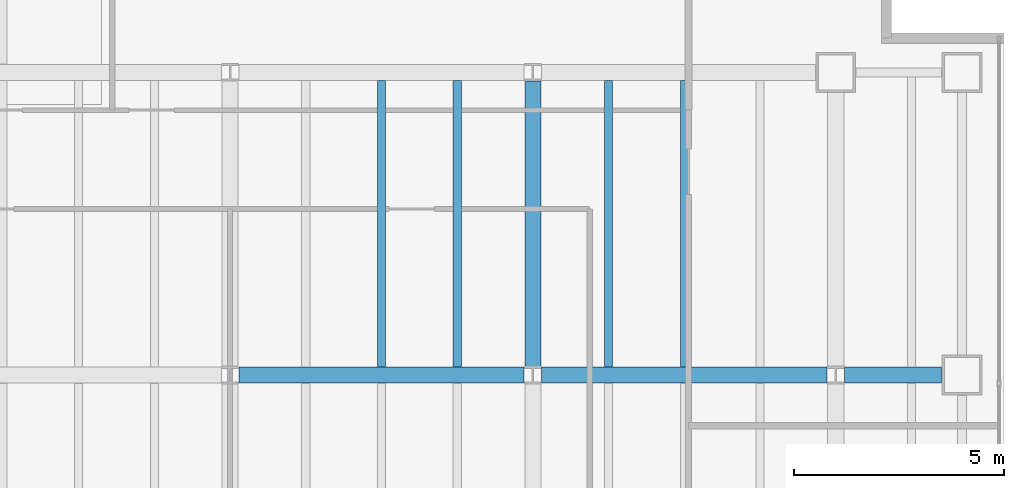
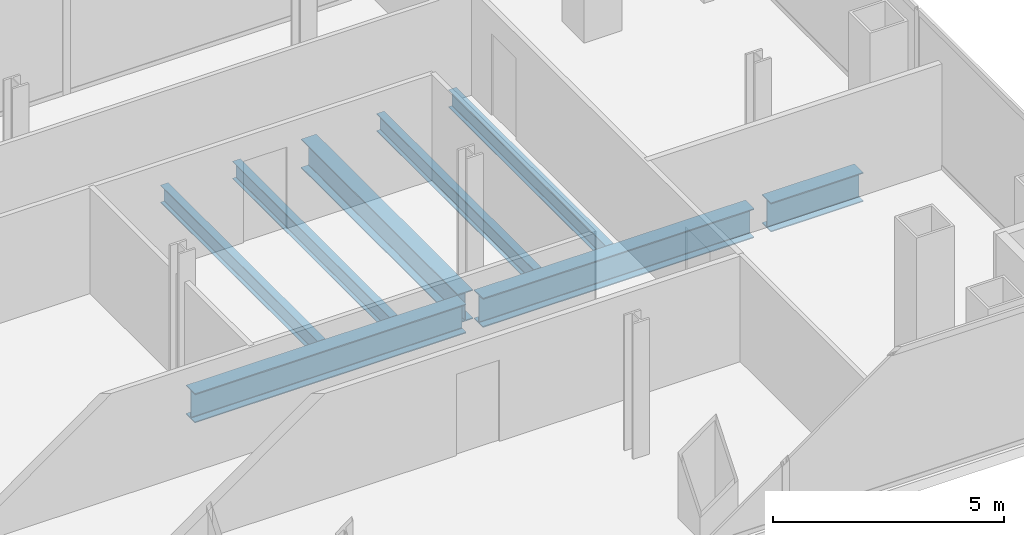
# One storey, part 12 of 23: 8 beams.
"""IFC4 building model written with IfcOpenShell, lengths in metres."""

from ifc_helpers import new_model, si_unit, direction, frame, origin, origin_2d, place, context, subcontext, project, spatial, i_section, extrude, material, material_profile, profile_set, type_object, element, save


model = new_model("IFC4")

# Units and contexts
model_context = context("Model", 3, precision=1e-05, world=origin(), true_north=direction((0.0, 1.0)))
body_context = subcontext(model_context, "Body", "Model", "MODEL_VIEW")
ifc_project = project(units=[si_unit("LENGTHUNIT", "METRE"), si_unit("AREAUNIT", "SQUARE_METRE"), si_unit("VOLUMEUNIT", "CUBIC_METRE"), si_unit("PLANEANGLEUNIT", "RADIAN"), si_unit("MASSUNIT", "GRAM", prefix="KILO")], contexts=[model_context])

# Site, building, storey
site_placement = place(None, origin())
site = spatial("IfcSite", under=ifc_project, at=site_placement, CompositionType="ELEMENT")
building_placement = place(site_placement, origin())
building = spatial("IfcBuilding", under=site, at=building_placement, Name="Cobrela Telecom Tower", CompositionType="ELEMENT")
storey_placement = place(building_placement, frame((0.0, 0.0, 102.199951171875)))
storey = spatial("IfcBuildingStorey", under=building, at=storey_placement, Name="L25", CompositionType="ELEMENT", Elevation=102.199951171875)

# Beams
ifc_material = material(Name="Steel ASTM A992 Grade 50", Category="steel")
ifc_material_profile_1 = material_profile(ifc_material, i_section(OverallWidth=0.381103515625, OverallDepth=0.77197265625, WebThickness=0.0166015625, FlangeThickness=0.027099609375, FilletRadius=0.01904296875, at=origin_2d()), Name="W30X173")
ifc_profile_set_1 = profile_set([ifc_material_profile_1], Name="Steel ASTM A992 Grade 50")
beam_type_1 = type_object("IfcBeamType", Name="BM-GIRD-04", PredefinedType="USERDEFINED", material=ifc_profile_set_1)
for number, where, z_axis, x_axis, name in (
    (1, (29.009521484375, 14.39990234375, -0.656005859375), (1.0, 0.0, 0.0), (0.0, 1.0, 0.0), "L25 Primary Girder X15"),
    (2, (36.20947265625, 14.39990234375, -0.656005859375), (1.0, 0.0, 0.0), (0.0, 1.0, 0.0), "L25 Primary Girder X16"),
):
    element("IfcBeam", number, at=place(storey_placement, frame(where, z_axis=z_axis, x_axis=x_axis)), inside=storey, type_object=beam_type_1, Name=name, ObjectType="GIRDER", PredefinedType="USERDEFINED", context=body_context, shape_type="SweptSolid", body=[
        extrude(i_section(OverallWidth=0.381103515625, OverallDepth=0.77197265625, WebThickness=0.0166015625, FlangeThickness=0.027099609375, FilletRadius=0.01904296875, at=origin_2d()), origin(), (0.0, 0.0, 1.0), 6.781005859375),
    ])
beam_1_placement = place(storey_placement, frame((43.409423828125, 14.39990234375, -0.656005859375), z_axis=(1.0, 0.0, 0.0), x_axis=(0.0, 1.0, 0.0)))
element("IfcBeam", 3, at=beam_1_placement, inside=storey, type_object=beam_type_1, Name="L25 Primary Girder X17", ObjectType="GIRDER", PredefinedType="USERDEFINED", context=body_context, shape_type="SweptSolid", body=[
    extrude(i_section(OverallWidth=0.381103515625, OverallDepth=0.77197265625, WebThickness=0.0166015625, FlangeThickness=0.027099609375, FilletRadius=0.01904296875, at=origin_2d()), origin(), (0.0, 0.0, 1.0), 2.310546875),
])
beam_2_placement = place(storey_placement, frame((36.0, 14.609619140625, -0.656005859375), z_axis=(0.0, 1.0, 0.0), x_axis=(-1.0, 0.0, 0.0)))
element("IfcBeam", 4, at=beam_2_placement, inside=storey, type_object=beam_type_1, Name="L25 Primary Girder Y51", ObjectType="GIRDER", PredefinedType="USERDEFINED", context=body_context, shape_type="SweptSolid", body=[
    extrude(i_section(OverallWidth=0.381103515625, OverallDepth=0.77197265625, WebThickness=0.0166015625, FlangeThickness=0.027099609375, FilletRadius=0.01904296875, at=origin_2d()), origin(), (0.0, 0.0, 1.0), 6.78076171875),
])
ifc_material_profile_2 = material_profile(ifc_material, i_section(OverallWidth=0.193115234375, OverallDepth=0.467041015625, WebThickness=0.011474609375, FlangeThickness=0.01904296875, FilletRadius=0.012939453125, at=origin_2d()), Name="W18X65")
ifc_profile_set_2 = profile_set([ifc_material_profile_2], Name="Steel ASTM A992 Grade 50")
beam_type_2 = type_object("IfcBeamType", Name="BM-JOIST-03", PredefinedType="JOIST", material=ifc_profile_set_2)
for number, where, z_axis, x_axis, name in (
    (5, (32.39990234375, 14.595458984375, -0.50341796875), (0.0, 1.0, 0.0), (-1.0, 0.0, 0.0), "L25 Secondary Composite Floor Beam J30"),
    (6, (34.199951171875, 14.595458984375, -0.50341796875), (0.0, 1.0, 0.0), (-1.0, 0.0, 0.0), "L25 Secondary Composite Floor Beam J32"),
    (7, (37.800048828125, 14.595458984375, -0.50341796875), (0.0, 1.0, 0.0), (-1.0, 0.0, 0.0), "L25 Secondary Composite Floor Beam J34"),
    (8, (39.60009765625, 14.595458984375, -0.50341796875), (0.0, 1.0, 0.0), (-1.0, 0.0, 0.0), "L25 Secondary Composite Floor Beam J36"),
):
    element("IfcBeam", number, at=place(storey_placement, frame(where, z_axis=z_axis, x_axis=x_axis)), inside=storey, type_object=beam_type_2, Name=name, PredefinedType="JOIST", context=body_context, shape_type="SweptSolid", body=[
        extrude(i_section(OverallWidth=0.193115234375, OverallDepth=0.467041015625, WebThickness=0.011474609375, FlangeThickness=0.01904296875, FilletRadius=0.012939453125, at=origin_2d()), origin(), (0.0, 0.0, 1.0), 6.80908203125),
    ])

save(model, "model.ifc")
